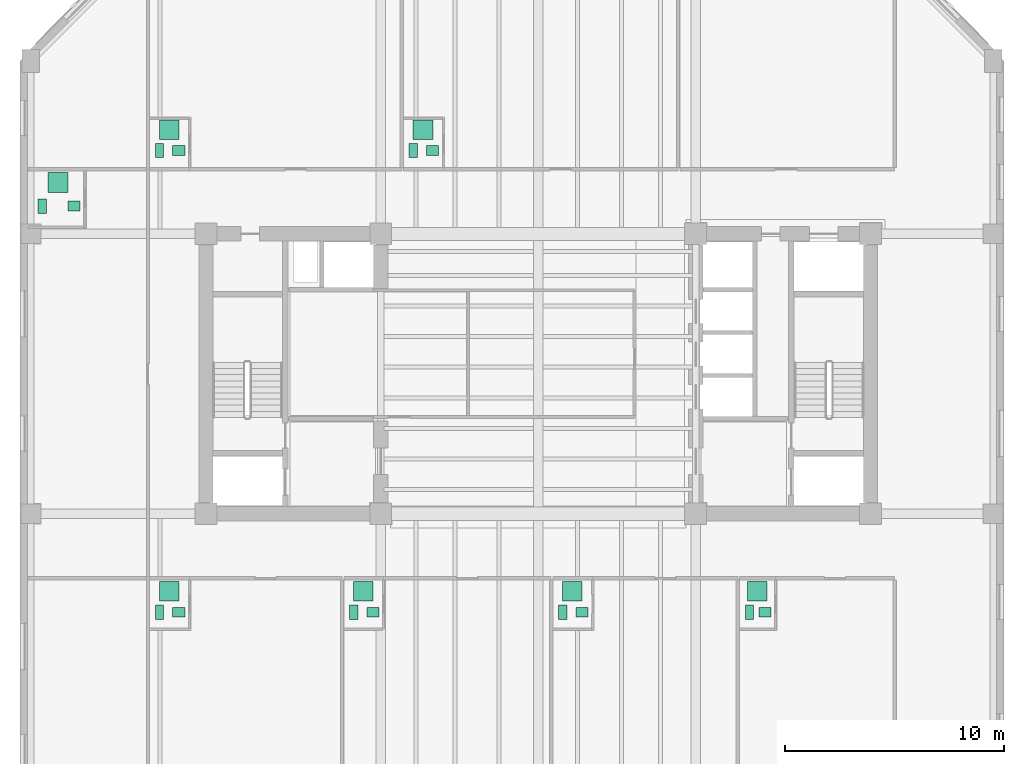
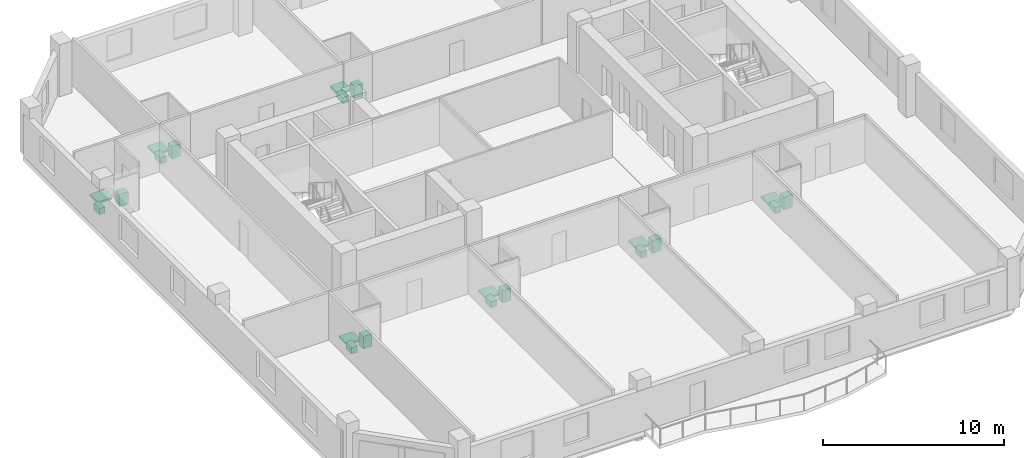
# One storey, part 10 of 10: 21 sanitary terminals.
"""IFC4 building model written with IfcOpenShell, lengths in metres."""

import ifcopenshell
import ifcopenshell.guid

model = None  # the IFC model being written
_history = None  # IfcOwnerHistory: only IFC2X3 demands one
_inside = {}  # id of a spatial element -> (the spatial element, [elements in it])
_under = {}  # id of a project, library or spatial element -> (it, [spatial elements below it])
_declared = {}  # id of a project -> (the project, [libraries it declares])
_typed = {}  # id of a type object -> (the type object, [elements of that type])
_made_of = {}  # id of a material, layer set ... -> (it, [elements and type objects made of it])


def new_model(schema):
    """Start an empty IFC model of exactly this schema.

    Asked for "IFC4X3", IfcOpenShell would pick the latest addendum, in which some entities
    have other attributes; the version numbers below select the first issue.
    IFC2X3 requires an IfcOwnerHistory on every rooted entity: one is made here for all.
    """
    global model, _history
    if schema == "IFC4X3":
        model = ifcopenshell.file(schema_version=(4, 3, 0, 0))
    else:
        model = ifcopenshell.file(schema=schema)
    _inside.clear()
    _under.clear()
    _declared.clear()
    _typed.clear()
    _made_of.clear()
    _history = None
    if model.schema == "IFC2X3":
        org = make("IfcOrganization", Name="unknown")
        user = make(
            "IfcPersonAndOrganization",
            ThePerson=make("IfcPerson", FamilyName="unknown"),
            TheOrganization=org,
        )
        app = make(
            "IfcApplication",
            ApplicationDeveloper=org,
            Version="unknown",
            ApplicationFullName="unknown",
            ApplicationIdentifier="unknown",
        )
        _history = make(
            "IfcOwnerHistory",
            OwningUser=user,
            OwningApplication=app,
            ChangeAction="ADDED",
            CreationDate=0,
        )
    return model


def make(cls, **values):
    """One entity of the class cls with the attributes given. An attribute that is None is left unset."""
    return model.create_entity(
        cls, **{name: value for name, value in values.items() if value is not None}
    )


def rooted(cls, **values):
    """An entity with a GlobalId (a new one), such as an element, a storey or a relation."""
    return make(cls, GlobalId=ifcopenshell.guid.new(), OwnerHistory=_history, **values)


def si_unit(unit_type, name, prefix=None):
    """IfcSIUnit, for example si_unit("LENGTHUNIT", "METRE", prefix="MILLI")."""
    return make("IfcSIUnit", UnitType=unit_type, Prefix=prefix, Name=name)


def assignment(units):
    """IfcUnitAssignment: the units of a project."""
    return None if units is None else make("IfcUnitAssignment", Units=units)


def point(xyz):
    """IfcCartesianPoint."""
    return None if xyz is None else make("IfcCartesianPoint", Coordinates=xyz)


def direction(xyz):
    """IfcDirection."""
    return None if xyz is None else make("IfcDirection", DirectionRatios=xyz)


def frame(location, z_axis=None, x_axis=None):
    """IfcAxis2Placement3D, a coordinate frame: its origin and axes. An axis left out is left unset."""
    return make(
        "IfcAxis2Placement3D",
        Location=point(location),
        Axis=direction(z_axis),
        RefDirection=direction(x_axis),
    )


def frame_2d(location, x_axis=None):
    """IfcAxis2Placement2D, a coordinate frame in the plane: its origin and x axis."""
    return make(
        "IfcAxis2Placement2D", Location=point(location), RefDirection=direction(x_axis)
    )


def origin():
    """The frame at (0, 0, 0) with its axes left unset."""
    return frame((0.0, 0.0, 0.0))


def origin_2d():
    """The frame at (0, 0) in the plane with its x axis left unset."""
    return frame_2d((0.0, 0.0))


def place(relative_to, where):
    """IfcLocalPlacement: puts the frame where relative to a parent placement (None: the world)."""
    return make(
        "IfcLocalPlacement", PlacementRelTo=relative_to, RelativePlacement=where
    )


def context(
    kind, dimensions, precision=None, world=None, true_north=None, identifier=None
):
    """IfcGeometricRepresentationContext, for example the 3D "Model" context."""
    return make(
        "IfcGeometricRepresentationContext",
        ContextIdentifier=identifier,
        ContextType=kind,
        CoordinateSpaceDimension=dimensions,
        Precision=precision,
        WorldCoordinateSystem=world,
        TrueNorth=true_north,
    )


def subcontext(parent, identifier, kind, view, scale=None):
    """IfcGeometricRepresentationSubContext, for example "Body" below "Model"."""
    return make(
        "IfcGeometricRepresentationSubContext",
        ContextIdentifier=identifier,
        ContextType=kind,
        ParentContext=parent,
        TargetScale=scale,
        TargetView=view,
    )


def project(units=None, contexts=None):
    """IfcProject with its units and contexts."""
    return rooted(
        "IfcProject",
        Name="project",
        RepresentationContexts=contexts,
        UnitsInContext=assignment(units),
    )


def spatial(cls, under=None, at=None, **own):
    """A site, building, storey or space (cls), placed at a placement, below another one or the project."""
    s = rooted(cls, ObjectPlacement=at, **own)
    if under is not None:
        _under.setdefault(under.id(), (under, []))[1].append(s)
    return s


def profile(cls, at=None, kind="AREA", **sizes):
    """A parametric profile (cls). Its sizes go by their IFC names, for example OverallWidth=200.0."""
    return make(cls, ProfileType=kind, Position=at, **sizes)


def rectangle(**sizes):
    """IfcRectangleProfileDef."""
    return profile("IfcRectangleProfileDef", **sizes)


def extrude(swept, where, along, depth):
    """IfcExtrudedAreaSolid: the profile swept, set in the frame where, extruded along a direction by depth."""
    return make(
        "IfcExtrudedAreaSolid",
        SweptArea=swept,
        Position=where,
        ExtrudedDirection=direction(along),
        Depth=depth,
    )


def shape(context_of_items, identifier, shape_type, items):
    """IfcShapeRepresentation: the items that make up one representation, for example the "Body"."""
    return make(
        "IfcShapeRepresentation",
        ContextOfItems=context_of_items,
        RepresentationIdentifier=identifier,
        RepresentationType=shape_type,
        Items=items,
    )


def material(Name=None, Category=None):
    """IfcMaterial."""
    return make("IfcMaterial", Name=Name, Category=Category)


def made_of(thing, what):
    """Note that an element or type object is made of a material, layer set ...; save() writes the relation."""
    if what is not None:
        _made_of.setdefault(what.id(), (what, []))[1].append(thing)
    return thing


def type_object(cls, material=None, **own):
    """A type object (cls), such as IfcWallType, which elements share."""
    return made_of(rooted(cls, **own), material)


def element(
    cls,
    number,
    at=None,
    inside=None,
    cuts=None,
    type_object=None,
    material=None,
    context=None,
    identifier="Body",
    shape_type=None,
    held_by="IfcProductDefinitionShape",
    body=None,
    shapes=None,
    **own,
):
    """One element of the class cls, such as IfcWall. Its Tag is "e" and its number.

    at: its placement. inside: the storey or other place that contains it. cuts: it is an
    opening in that element (IfcRelVoidsElement). A single representation is given by context,
    identifier, shape_type and body (its items); several are given by shapes. held_by: the class
    of the entity that holds the representations. save() writes the other relations.
    """
    e = rooted(cls, Tag="e%d" % number, ObjectPlacement=at, **own)
    if body is not None:
        shapes = [shape(context, identifier, shape_type, body)]
    if shapes is not None:
        e.Representation = make(held_by, Representations=shapes)
    if inside is not None:
        _inside.setdefault(inside.id(), (inside, []))[1].append(e)
    if cuts is not None:
        rooted(
            "IfcRelVoidsElement", RelatingBuildingElement=cuts, RelatedOpeningElement=e
        )
    if type_object is not None:
        _typed.setdefault(type_object.id(), (type_object, []))[1].append(e)
    return made_of(e, material)


def aggregate(whole, parts):
    """IfcRelAggregates: a whole, such as a stair, and the parts it consists of."""
    return rooted("IfcRelAggregates", RelatingObject=whole, RelatedObjects=parts)


def save(model, path):
    """Write the relations noted so far, then the file.

    IfcRelAggregates (storeys below a building ...), IfcRelContainedInSpatialStructure (elements
    in a storey), IfcRelDefinesByType, IfcRelAssociatesMaterial and IfcRelDeclares: one each for
    every whole, place, type object, material and project.
    """
    for whole, parts in _under.values():
        aggregate(whole, parts)
    for where, things in _inside.values():
        rooted(
            "IfcRelContainedInSpatialStructure",
            RelatedElements=things,
            RelatingStructure=where,
        )
    for kind, things in _typed.values():
        rooted("IfcRelDefinesByType", RelatedObjects=things, RelatingType=kind)
    for what, things in _made_of.values():
        rooted("IfcRelAssociatesMaterial", RelatedObjects=things, RelatingMaterial=what)
    for by, libraries in _declared.values():
        rooted("IfcRelDeclares", RelatingContext=by, RelatedDefinitions=libraries)
    model.write(path)


model = new_model("IFC4")

# Units and contexts
model_context = context("Model", 3, precision=1e-05, world=origin(), true_north=direction((0.0, 1.0)))
body_context = subcontext(model_context, "Body", "Model", "MODEL_VIEW")
ifc_project = project(units=[si_unit("LENGTHUNIT", "METRE"), si_unit("AREAUNIT", "SQUARE_METRE"), si_unit("VOLUMEUNIT", "CUBIC_METRE"), si_unit("PLANEANGLEUNIT", "RADIAN"), si_unit("MASSUNIT", "GRAM", prefix="KILO")], contexts=[model_context])

# Site, building, storey
site_placement = place(None, origin())
site = spatial("IfcSite", under=ifc_project, at=site_placement, CompositionType="ELEMENT")
building_placement = place(site_placement, origin())
building = spatial("IfcBuilding", under=site, at=building_placement, Name="Kranthara Brick Stack", CompositionType="ELEMENT")
storey_placement = place(building_placement, frame((0.0, 0.0, 127.300048828125)))
storey = spatial("IfcBuildingStorey", under=building, at=storey_placement, Name="L31", CompositionType="ELEMENT", Elevation=127.300048828125)

# Sanitary terminals
ifc_material_1 = material(Name="Vitreous china sanitary porcelain", Category="other")
sanitary_terminal_type_1 = type_object("IfcSanitaryTerminalType", Name="SAN-BASIN", PredefinedType="WASHHANDBASIN", material=ifc_material_1)
for number, where, z_axis, x_axis, name in (
    (1, (11.56005859375, 16.294921875, 0.0), (0.0, 0.0, 1.0), (1.0, 0.0, 0.0), "L31 Washbasin 102"),
    (2, (20.43896484375, 16.294921875, 0.0), (0.0, 0.0, 1.0), (1.0, 0.0, 0.0), "L31 Washbasin 103"),
    (3, (30.0009765625, 16.294921875, 0.0), (0.0, 0.0, 1.0), (1.0, 0.0, 0.0), "L31 Washbasin 104"),
    (4, (38.360107421875, 16.294921875, 0.0), (0.0, 0.0, 1.0), (1.0, 0.0, 0.0), "L31 Washbasin 105"),
    (5, (11.56005859375, 37.405029296875, 0.0), (0.0, 0.0, 1.0), (1.0, 0.0, 0.0), "L31 Washbasin 106"),
    (6, (23.1708984375, 37.405029296875, 0.0), (0.0, 0.0, 1.0), (1.0, 0.0, 0.0), "L31 Washbasin 107"),
    (7, (6.760009765625, 34.864990234375, 0.0), (0.0, 0.0, 1.0), (1.0, 0.0, 0.0), "L31 Washbasin 108"),
):
    element("IfcSanitaryTerminal", number, at=place(storey_placement, frame(where, z_axis=z_axis, x_axis=x_axis)), inside=storey, type_object=sanitary_terminal_type_1, Name=name, PredefinedType="WASHHANDBASIN", context=body_context, shape_type="SweptSolid", body=[
        extrude(rectangle(XDim=0.550048828125, YDim=0.449951171875, at=origin_2d()), origin(), (0.0, 0.0, 1.0), 0.85009765625),
    ])
ifc_material_2 = material(Name="Acrylic and porcelain shower tray", Category="other")
sanitary_terminal_type_2 = type_object("IfcSanitaryTerminalType", Name="SAN-SHOWER", PredefinedType="SHOWER", material=ifc_material_2)
for number, where, z_axis, x_axis, name in (
    (8, (11.1201171875, 17.25, 0.0), (0.0, 0.0, 1.0), (1.0, 0.0, 0.0), "L31 Shower Tray 102"),
    (9, (19.9990234375, 17.25, 0.0), (0.0, 0.0, 1.0), (1.0, 0.0, 0.0), "L31 Shower Tray 103"),
    (10, (29.56103515625, 17.25, 0.0), (0.0, 0.0, 1.0), (1.0, 0.0, 0.0), "L31 Shower Tray 104"),
    (11, (38.010009765625, 17.25, 0.0), (0.0, 0.0, 1.0), (1.0, 0.0, 0.0), "L31 Shower Tray 105"),
    (12, (11.1201171875, 38.360107421875, 0.0), (0.0, 0.0, 1.0), (1.0, 0.0, 0.0), "L31 Shower Tray 106"),
    (13, (22.73095703125, 38.360107421875, 0.0), (0.0, 0.0, 1.0), (1.0, 0.0, 0.0), "L31 Shower Tray 107"),
    (14, (6.0400390625, 35.949951171875, 0.0), (0.0, 0.0, 1.0), (1.0, 0.0, 0.0), "L31 Shower Tray 108"),
):
    element("IfcSanitaryTerminal", number, at=place(storey_placement, frame(where, z_axis=z_axis, x_axis=x_axis)), inside=storey, type_object=sanitary_terminal_type_2, Name=name, PredefinedType="SHOWER", context=body_context, shape_type="SweptSolid", body=[
        extrude(rectangle(XDim=0.89990234375, YDim=0.89990234375, at=origin_2d()), origin(), (0.0, 0.0, 1.0), 0.1201171875),
    ])
ifc_material_3 = material(Name="Vitreous china sanitary porcelain", Category="other")
sanitary_terminal_type_3 = type_object("IfcSanitaryTerminalType", Name="SAN-WC-PAN", PredefinedType="TOILETPAN", material=ifc_material_3)
for number, where, z_axis, x_axis, name in (
    (15, (10.679931640625, 16.294921875, 0.0), (0.0, 0.0, 1.0), (1.0, 0.0, 0.0), "L31 WC Pan 102"),
    (16, (19.55908203125, 16.294921875, 0.0), (0.0, 0.0, 1.0), (1.0, 0.0, 0.0), "L31 WC Pan 103"),
    (17, (29.12109375, 16.294921875, 0.0), (0.0, 0.0, 1.0), (1.0, 0.0, 0.0), "L31 WC Pan 104"),
    (18, (37.658935546875, 16.294921875, 0.0), (0.0, 0.0, 1.0), (1.0, 0.0, 0.0), "L31 WC Pan 105"),
    (19, (10.679931640625, 37.405029296875, 0.0), (0.0, 0.0, 1.0), (1.0, 0.0, 0.0), "L31 WC Pan 106"),
    (20, (22.291015625, 37.405029296875, 0.0), (0.0, 0.0, 1.0), (1.0, 0.0, 0.0), "L31 WC Pan 107"),
    (21, (5.320068359375, 34.864990234375, 0.0), (0.0, 0.0, 1.0), (1.0, 0.0, 0.0), "L31 WC Pan 108"),
):
    element("IfcSanitaryTerminal", number, at=place(storey_placement, frame(where, z_axis=z_axis, x_axis=x_axis)), inside=storey, type_object=sanitary_terminal_type_3, Name=name, PredefinedType="TOILETPAN", context=body_context, shape_type="SweptSolid", body=[
        extrude(rectangle(XDim=0.3798828125, YDim=0.64990234375, at=origin_2d()), origin(), (0.0, 0.0, 1.0), 0.419921875),
    ])

save(model, "model.ifc")
